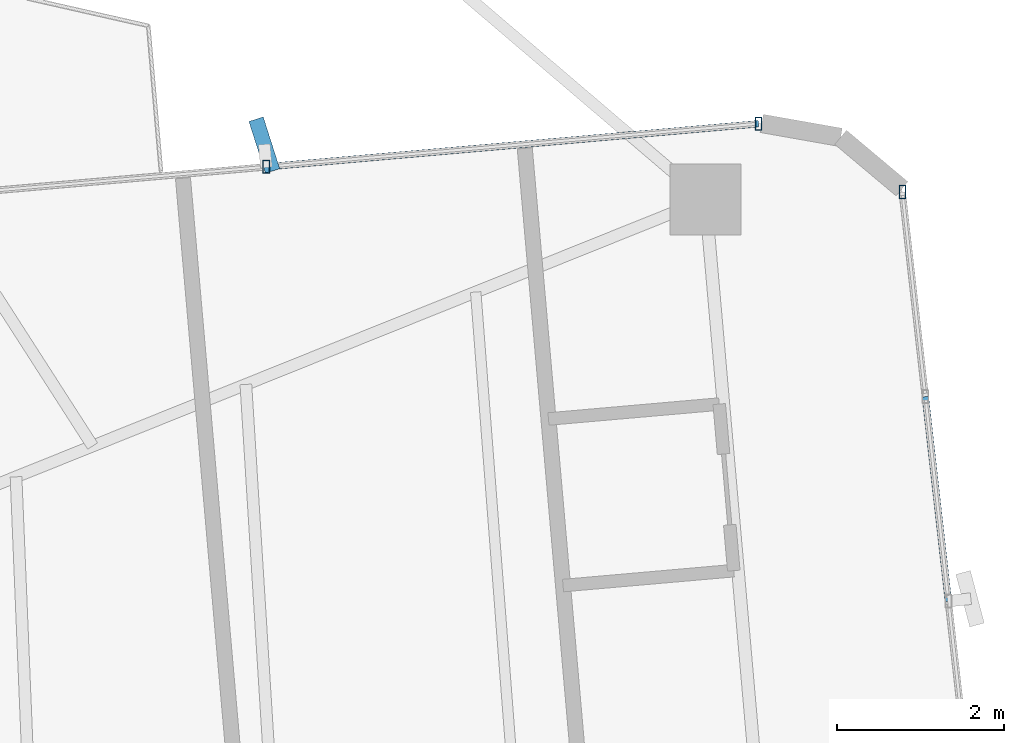
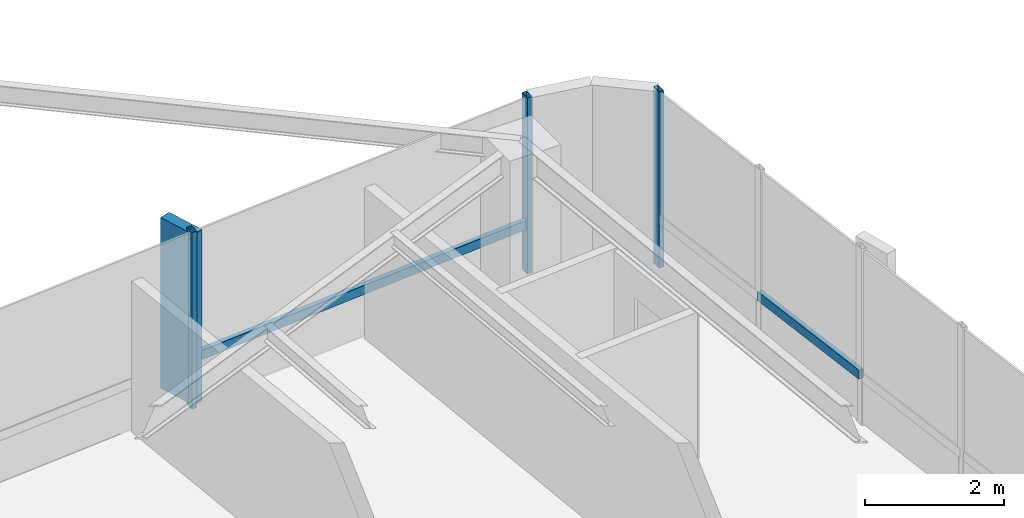
# One storey, part 15 of 24: 6 members, 2 elements without a shape of their own.
"""IFC4 building model written with IfcOpenShell, lengths in metres."""

from ifc_helpers import new_model, si_unit, direction, frame, origin, origin_2d, place, context, subcontext, project, spatial, rectangle, hollow_rectangle, extrude, source, transform, mapped, material, material_profile, profile_set, type_object, element, aggregate, save


model = new_model("IFC4")

# Units and contexts
model_context = context("Model", 3, precision=1e-05, world=origin(), true_north=direction((0.0, 1.0)))
body_context = subcontext(model_context, "Body", "Model", "MODEL_VIEW")
ifc_project = project(units=[si_unit("LENGTHUNIT", "METRE"), si_unit("AREAUNIT", "SQUARE_METRE"), si_unit("VOLUMEUNIT", "CUBIC_METRE"), si_unit("PLANEANGLEUNIT", "RADIAN"), si_unit("MASSUNIT", "GRAM", prefix="KILO")], contexts=[model_context])

# Site, building, storey
site_placement = place(None, origin())
site = spatial("IfcSite", under=ifc_project, at=site_placement, CompositionType="ELEMENT")
building_placement = place(site_placement, origin())
building = spatial("IfcBuilding", under=site, at=building_placement, Name="Sahyath Konkavel Grand Hotel", CompositionType="ELEMENT")
storey_placement = place(building_placement, frame((0.0, 0.0, 157.300048828125)))
storey = spatial("IfcBuildingStorey", under=building, at=storey_placement, Name="L43", CompositionType="ELEMENT", Elevation=157.300048828125)

# Curtain wall, member
ifc_material_1 = material(Name="Anodised Bronze Aluminium & Low-E Glazing", Category="aluminium")
curtain_wall_type = type_object("IfcCurtainWallType", Name="CW-ZONE3", PredefinedType="NOTDEFINED", material=ifc_material_1)
curtain_wall_1_placement = place(storey_placement, origin())
curtain_wall_1 = element("IfcCurtainWall", 1, at=curtain_wall_1_placement, inside=storey, type_object=curtain_wall_type, Name="L43 Unitised Curtain Wall F4", PredefinedType="NOTDEFINED")
ifc_material_2 = material(Name="Anodised Bronze Aluminium", Category="aluminium")
ifc_material_profile_1 = material_profile(ifc_material_2, hollow_rectangle(XDim=0.080078125, YDim=0.159912109375, WallThickness=0.006103515625, at=origin_2d()), Name="RHS 160x80x6")
ifc_profile_set_1 = profile_set([ifc_material_profile_1], Name="Anodised Bronze Aluminium")
member_type_1 = type_object("IfcMemberType", Name="CW-MUL-160", PredefinedType="MULLION", material=ifc_profile_set_1)
shared_shape_1 = source(origin(), body_context, "Body", "SweptSolid", [
    extrude(hollow_rectangle(XDim=0.080078125, YDim=0.159912109375, WallThickness=0.006103515625, at=origin_2d()), origin(), (0.0, 0.0, 1.0), 3.10986328125),
])
member_1_placement = place(storey_placement, frame((19.308349609375, 7.094970703125, 0.0), z_axis=(0.0, 0.0, 1.0), x_axis=(1.0, 0.0, 0.0)))
member_1 = element("IfcMember", 2, at=member_1_placement, type_object=member_type_1, Name="L43 Curtain Wall Mullion F4-4", PredefinedType="MULLION", context=body_context, shape_type="MappedRepresentation", body=[
    mapped(shared_shape_1, transform((0.0, 0.0, 0.0), scale=1.0)),
])

# Curtain wall, members
curtain_wall_2_placement = place(storey_placement, origin())
curtain_wall_2 = element("IfcCurtainWall", 3, at=curtain_wall_2_placement, inside=storey, type_object=curtain_wall_type, Name="L43 Unitised Curtain Wall F7", PredefinedType="NOTDEFINED")
member_2_placement = place(storey_placement, frame((17.58740234375, 7.912841796875, 0.0), z_axis=(0.0, 0.0, 1.0), x_axis=(1.0, 0.0, 0.0)))
member_2 = element("IfcMember", 4, at=member_2_placement, type_object=member_type_1, Name="L43 Curtain Wall Mullion F7-0", PredefinedType="MULLION", context=body_context, shape_type="MappedRepresentation", body=[
    mapped(shared_shape_1, transform((0.0, 0.0, 0.0), scale=1.0)),
])
member_3_placement = place(storey_placement, frame((11.69970703125, 7.39794921875, 0.0), z_axis=(0.0, 0.0, 1.0), x_axis=(1.0, 0.0, 0.0)))
member_3 = element("IfcMember", 5, at=member_3_placement, type_object=member_type_1, Name="L43 Curtain Wall Mullion F7-1", PredefinedType="MULLION", context=body_context, shape_type="MappedRepresentation", body=[
    mapped(shared_shape_1, transform((0.0, 0.0, 0.0), scale=1.0)),
])
ifc_material_3 = material(Name="Warm Buff Sandstone Cladding on Concrete C50/60", Category="masonry")
ifc_material_profile_2 = material_profile(ifc_material_3, rectangle(XDim=0.179931640625, YDim=0.64990234375, at=origin_2d()), Name="FIN 180x650")
ifc_profile_set_2 = profile_set([ifc_material_profile_2], Name="Warm Buff Sandstone Cladding on Concrete C50/60")
member_type_2 = type_object("IfcMemberType", Name="FIN-SANDSTONE-650", PredefinedType="MULLION", material=ifc_profile_set_2)
shared_shape_2 = source(origin(), body_context, "Body", "SweptSolid", [
    extrude(rectangle(XDim=0.179931640625, YDim=0.64990234375, at=origin_2d()), origin(), (0.0, 0.0, 1.0), 3.010009765625),
])
member_4_placement = place(storey_placement, frame((11.677001953125, 7.656982421875, 0.050048828125), z_axis=(0.0, 0.0, 1.0), x_axis=(0.952767550771, 0.303700500819, 0.0)))
member_4 = element("IfcMember", 6, at=member_4_placement, type_object=member_type_2, Name="L43 Sandstone Vertical Solar Fin FIN F7-1", PredefinedType="MULLION", context=body_context, shape_type="MappedRepresentation", body=[
    mapped(shared_shape_2, transform((0.0, 0.0, 0.0), scale=1.0)),
])

# Member
ifc_material_profile_3 = material_profile(ifc_material_2, hollow_rectangle(XDim=0.080078125, YDim=0.159912109375, WallThickness=0.006103515625, at=origin_2d()), Name="RHS 160x80x6")
ifc_profile_set_3 = profile_set([ifc_material_profile_3], Name="Anodised Bronze Aluminium")
member_type_3 = type_object("IfcMemberType", Name="CW-TRN-160", PredefinedType="USERDEFINED", material=ifc_profile_set_3)
shared_shape_3 = source(origin(), body_context, "Body", "SweptSolid", [
    extrude(hollow_rectangle(XDim=0.080078125, YDim=0.159912109375, WallThickness=0.006103515625, at=origin_2d()), origin(), (0.0, 0.0, 1.0), 2.461669921875),
])
member_5_placement = place(storey_placement, frame((19.859619140625, 2.201904296875, 0.849853515625), z_axis=(-0.111966154832, 0.993712020744, 0.0), x_axis=(-0.993712020744, -0.111966154832, 0.0)))
member_5 = element("IfcMember", 7, at=member_5_placement, type_object=member_type_3, Name="L43 Curtain Wall Transom F4-2-spandrel", ObjectType="TRANSOM", PredefinedType="USERDEFINED", context=body_context, shape_type="MappedRepresentation", body=[
    mapped(shared_shape_3, transform((0.0, 0.0, 0.0), scale=1.0)),
])

aggregate(curtain_wall_1, [member_1, member_5])

shared_shape_4 = source(origin(), body_context, "Body", "SweptSolid", [
    extrude(hollow_rectangle(XDim=0.080078125, YDim=0.159912109375, WallThickness=0.006103515625, at=origin_2d()), origin(), (0.0, 0.0, 1.0), 5.91015625),
])
member_6_placement = place(storey_placement, frame((17.58740234375, 7.912841796875, 0.849853515625), z_axis=(-0.996197841474, -0.087119806256, 0.0), x_axis=(0.087119806256, -0.996197841474, 0.0)))
member_6 = element("IfcMember", 8, at=member_6_placement, type_object=member_type_3, Name="L43 Curtain Wall Transom F7-0-spandrel", ObjectType="TRANSOM", PredefinedType="USERDEFINED", context=body_context, shape_type="MappedRepresentation", body=[
    mapped(shared_shape_4, transform((0.0, 0.0, 0.0), scale=1.0)),
])

aggregate(curtain_wall_2, [member_2, member_3, member_4, member_6])

save(model, "model.ifc")
